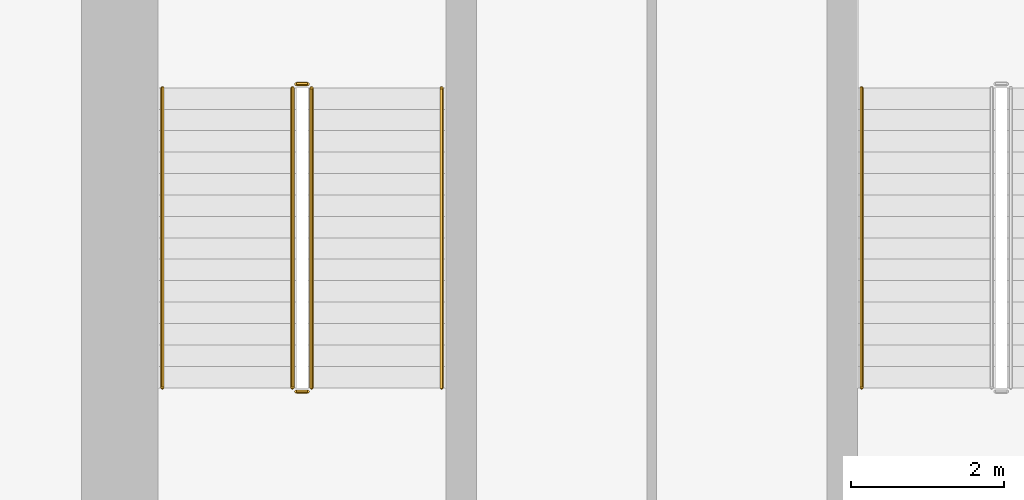
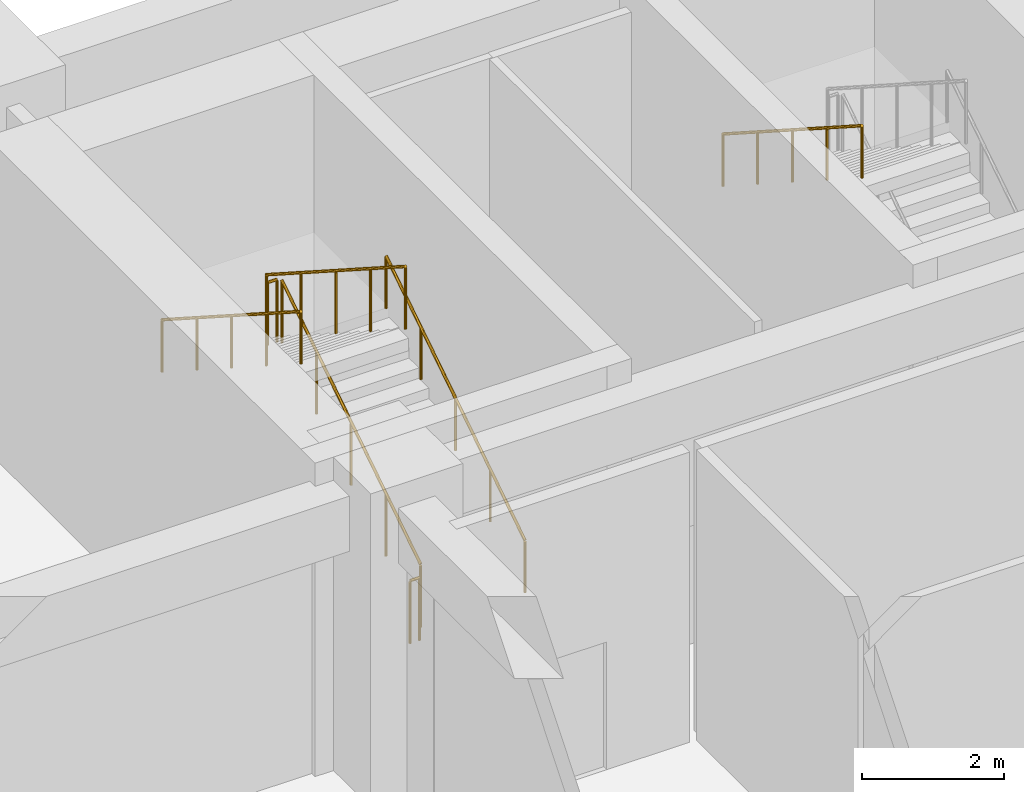
# One storey, part 11 of 14: 7 railings.
"""IFC4 building model written with IfcOpenShell, lengths in metres."""

import ifcopenshell
import ifcopenshell.guid

model = None  # the IFC model being written
_history = None  # IfcOwnerHistory: only IFC2X3 demands one
_inside = {}  # id of a spatial element -> (the spatial element, [elements in it])
_under = {}  # id of a project, library or spatial element -> (it, [spatial elements below it])
_declared = {}  # id of a project -> (the project, [libraries it declares])
_typed = {}  # id of a type object -> (the type object, [elements of that type])
_made_of = {}  # id of a material, layer set ... -> (it, [elements and type objects made of it])


def new_model(schema):
    """Start an empty IFC model of exactly this schema.

    Asked for "IFC4X3", IfcOpenShell would pick the latest addendum, in which some entities
    have other attributes; the version numbers below select the first issue.
    IFC2X3 requires an IfcOwnerHistory on every rooted entity: one is made here for all.
    """
    global model, _history
    if schema == "IFC4X3":
        model = ifcopenshell.file(schema_version=(4, 3, 0, 0))
    else:
        model = ifcopenshell.file(schema=schema)
    _inside.clear()
    _under.clear()
    _declared.clear()
    _typed.clear()
    _made_of.clear()
    _history = None
    if model.schema == "IFC2X3":
        org = make("IfcOrganization", Name="unknown")
        user = make(
            "IfcPersonAndOrganization",
            ThePerson=make("IfcPerson", FamilyName="unknown"),
            TheOrganization=org,
        )
        app = make(
            "IfcApplication",
            ApplicationDeveloper=org,
            Version="unknown",
            ApplicationFullName="unknown",
            ApplicationIdentifier="unknown",
        )
        _history = make(
            "IfcOwnerHistory",
            OwningUser=user,
            OwningApplication=app,
            ChangeAction="ADDED",
            CreationDate=0,
        )
    return model


def make(cls, **values):
    """One entity of the class cls with the attributes given. An attribute that is None is left unset."""
    return model.create_entity(
        cls, **{name: value for name, value in values.items() if value is not None}
    )


def rooted(cls, **values):
    """An entity with a GlobalId (a new one), such as an element, a storey or a relation."""
    return make(cls, GlobalId=ifcopenshell.guid.new(), OwnerHistory=_history, **values)


def si_unit(unit_type, name, prefix=None):
    """IfcSIUnit, for example si_unit("LENGTHUNIT", "METRE", prefix="MILLI")."""
    return make("IfcSIUnit", UnitType=unit_type, Prefix=prefix, Name=name)


def assignment(units):
    """IfcUnitAssignment: the units of a project."""
    return None if units is None else make("IfcUnitAssignment", Units=units)


def point(xyz):
    """IfcCartesianPoint."""
    return None if xyz is None else make("IfcCartesianPoint", Coordinates=xyz)


def direction(xyz):
    """IfcDirection."""
    return None if xyz is None else make("IfcDirection", DirectionRatios=xyz)


def frame(location, z_axis=None, x_axis=None):
    """IfcAxis2Placement3D, a coordinate frame: its origin and axes. An axis left out is left unset."""
    return make(
        "IfcAxis2Placement3D",
        Location=point(location),
        Axis=direction(z_axis),
        RefDirection=direction(x_axis),
    )


def frame_2d(location, x_axis=None):
    """IfcAxis2Placement2D, a coordinate frame in the plane: its origin and x axis."""
    return make(
        "IfcAxis2Placement2D", Location=point(location), RefDirection=direction(x_axis)
    )


def origin():
    """The frame at (0, 0, 0) with its axes left unset."""
    return frame((0.0, 0.0, 0.0))


def origin_2d():
    """The frame at (0, 0) in the plane with its x axis left unset."""
    return frame_2d((0.0, 0.0))


def place(relative_to, where):
    """IfcLocalPlacement: puts the frame where relative to a parent placement (None: the world)."""
    return make(
        "IfcLocalPlacement", PlacementRelTo=relative_to, RelativePlacement=where
    )


def context(
    kind, dimensions, precision=None, world=None, true_north=None, identifier=None
):
    """IfcGeometricRepresentationContext, for example the 3D "Model" context."""
    return make(
        "IfcGeometricRepresentationContext",
        ContextIdentifier=identifier,
        ContextType=kind,
        CoordinateSpaceDimension=dimensions,
        Precision=precision,
        WorldCoordinateSystem=world,
        TrueNorth=true_north,
    )


def subcontext(parent, identifier, kind, view, scale=None):
    """IfcGeometricRepresentationSubContext, for example "Body" below "Model"."""
    return make(
        "IfcGeometricRepresentationSubContext",
        ContextIdentifier=identifier,
        ContextType=kind,
        ParentContext=parent,
        TargetScale=scale,
        TargetView=view,
    )


def project(units=None, contexts=None):
    """IfcProject with its units and contexts."""
    return rooted(
        "IfcProject",
        Name="project",
        RepresentationContexts=contexts,
        UnitsInContext=assignment(units),
    )


def spatial(cls, under=None, at=None, **own):
    """A site, building, storey or space (cls), placed at a placement, below another one or the project."""
    s = rooted(cls, ObjectPlacement=at, **own)
    if under is not None:
        _under.setdefault(under.id(), (under, []))[1].append(s)
    return s


def profile(cls, at=None, kind="AREA", **sizes):
    """A parametric profile (cls). Its sizes go by their IFC names, for example OverallWidth=200.0."""
    return make(cls, ProfileType=kind, Position=at, **sizes)


def circle(**sizes):
    """IfcCircleProfileDef."""
    return profile("IfcCircleProfileDef", **sizes)


def extrude(swept, where, along, depth):
    """IfcExtrudedAreaSolid: the profile swept, set in the frame where, extruded along a direction by depth."""
    return make(
        "IfcExtrudedAreaSolid",
        SweptArea=swept,
        Position=where,
        ExtrudedDirection=direction(along),
        Depth=depth,
    )


def shape(context_of_items, identifier, shape_type, items):
    """IfcShapeRepresentation: the items that make up one representation, for example the "Body"."""
    return make(
        "IfcShapeRepresentation",
        ContextOfItems=context_of_items,
        RepresentationIdentifier=identifier,
        RepresentationType=shape_type,
        Items=items,
    )


def material(Name=None, Category=None):
    """IfcMaterial."""
    return make("IfcMaterial", Name=Name, Category=Category)


def made_of(thing, what):
    """Note that an element or type object is made of a material, layer set ...; save() writes the relation."""
    if what is not None:
        _made_of.setdefault(what.id(), (what, []))[1].append(thing)
    return thing


def type_object(cls, material=None, **own):
    """A type object (cls), such as IfcWallType, which elements share."""
    return made_of(rooted(cls, **own), material)


def element(
    cls,
    number,
    at=None,
    inside=None,
    cuts=None,
    type_object=None,
    material=None,
    context=None,
    identifier="Body",
    shape_type=None,
    held_by="IfcProductDefinitionShape",
    body=None,
    shapes=None,
    **own,
):
    """One element of the class cls, such as IfcWall. Its Tag is "e" and its number.

    at: its placement. inside: the storey or other place that contains it. cuts: it is an
    opening in that element (IfcRelVoidsElement). A single representation is given by context,
    identifier, shape_type and body (its items); several are given by shapes. held_by: the class
    of the entity that holds the representations. save() writes the other relations.
    """
    e = rooted(cls, Tag="e%d" % number, ObjectPlacement=at, **own)
    if body is not None:
        shapes = [shape(context, identifier, shape_type, body)]
    if shapes is not None:
        e.Representation = make(held_by, Representations=shapes)
    if inside is not None:
        _inside.setdefault(inside.id(), (inside, []))[1].append(e)
    if cuts is not None:
        rooted(
            "IfcRelVoidsElement", RelatingBuildingElement=cuts, RelatedOpeningElement=e
        )
    if type_object is not None:
        _typed.setdefault(type_object.id(), (type_object, []))[1].append(e)
    return made_of(e, material)


def aggregate(whole, parts):
    """IfcRelAggregates: a whole, such as a stair, and the parts it consists of."""
    return rooted("IfcRelAggregates", RelatingObject=whole, RelatedObjects=parts)


def save(model, path):
    """Write the relations noted so far, then the file.

    IfcRelAggregates (storeys below a building ...), IfcRelContainedInSpatialStructure (elements
    in a storey), IfcRelDefinesByType, IfcRelAssociatesMaterial and IfcRelDeclares: one each for
    every whole, place, type object, material and project.
    """
    for whole, parts in _under.values():
        aggregate(whole, parts)
    for where, things in _inside.values():
        rooted(
            "IfcRelContainedInSpatialStructure",
            RelatedElements=things,
            RelatingStructure=where,
        )
    for kind, things in _typed.values():
        rooted("IfcRelDefinesByType", RelatedObjects=things, RelatingType=kind)
    for what, things in _made_of.values():
        rooted("IfcRelAssociatesMaterial", RelatedObjects=things, RelatingMaterial=what)
    for by, libraries in _declared.values():
        rooted("IfcRelDeclares", RelatingContext=by, RelatedDefinitions=libraries)
    model.write(path)


model = new_model("IFC4")

# Units and contexts
model_context = context("Model", 3, precision=1e-05, world=origin(), true_north=direction((0.0, 1.0)))
body_context = subcontext(model_context, "Body", "Model", "MODEL_VIEW")
ifc_project = project(units=[si_unit("LENGTHUNIT", "METRE"), si_unit("AREAUNIT", "SQUARE_METRE"), si_unit("VOLUMEUNIT", "CUBIC_METRE"), si_unit("PLANEANGLEUNIT", "RADIAN"), si_unit("MASSUNIT", "GRAM", prefix="KILO")], contexts=[model_context])

# Site, building, storey
site_placement = place(None, origin())
site = spatial("IfcSite", under=ifc_project, at=site_placement, CompositionType="ELEMENT")
building_placement = place(site_placement, origin())
building = spatial("IfcBuilding", under=site, at=building_placement, Name="Sulina Concourse Tower", CompositionType="ELEMENT")
storey_placement = place(building_placement, origin())
storey = spatial("IfcBuildingStorey", under=building, at=storey_placement, Name="L00", CompositionType="ELEMENT", Elevation=0.0)

# Railings
ifc_material_1 = material(Name="Galvanised steel railing", Category="steel")
railing_type_1 = type_object("IfcRailingType", Name="Core Stair Steel Guardrail 1150mm", PredefinedType="GUARDRAIL", material=ifc_material_1)
railing_1_placement = place(storey_placement, frame((43.554931640625, 36.375, 0.179931640625)))
element("IfcRailing", 1, at=railing_1_placement, inside=storey, type_object=railing_type_1, Name="L00 ST-3 stair guard 1", PredefinedType="GUARDRAIL", context=body_context, shape_type="SweptSolid", body=[
    extrude(circle(Radius=0.02392578125, at=origin_2d()), frame((0.0, 0.0, 1.076171875), z_axis=(0.0, 0.841171666519, 0.540768182723), x_axis=(-1.0, 0.0, 0.0)), (0.0, 0.0, 1.0), 4.66015625),
    extrude(circle(Radius=0.02099609375, at=origin_2d()), origin(), (0.0, 0.0, 1.0), 1.052001953125),
    extrude(circle(Radius=0.02099609375, at=origin_2d()), frame((0.0, 0.97998046875, 0.6298828125)), (0.0, 0.0, 1.0), 1.052001953125),
    extrude(circle(Radius=0.02099609375, at=origin_2d()), frame((0.0, 1.9599609375, 1.260009765625)), (0.0, 0.0, 1.0), 1.052001953125),
    extrude(circle(Radius=0.02099609375, at=origin_2d()), frame((0.0, 2.93994140625, 1.89013671875)), (0.0, 0.0, 1.0), 1.052001953125),
    extrude(circle(Radius=0.02099609375, at=origin_2d()), frame((0.0, 3.919921875, 2.52001953125)), (0.0, 0.0, 1.0), 1.052001953125),
])
railing_2_placement = place(storey_placement, frame((43.5048828125, 40.344970703125, 2.699951171875)))
element("IfcRailing", 2, at=railing_2_placement, inside=storey, type_object=railing_type_1, Name="L00 ST-3 stair guard 2", PredefinedType="GUARDRAIL", context=body_context, shape_type="SweptSolid", body=[
    extrude(circle(Radius=0.02392578125, at=origin_2d()), frame((0.0, 0.0, 1.076171875), z_axis=(-1.0, 0.0, 0.0), x_axis=(0.0, -1.0, 0.0)), (0.0, 0.0, 1.0), 0.14990234375),
    extrude(circle(Radius=0.02099609375, at=origin_2d()), origin(), (0.0, 0.0, 1.0), 1.052001953125),
    extrude(circle(Radius=0.02099609375, at=origin_2d()), frame((-0.14990234375, 0.0, 0.0)), (0.0, 0.0, 1.0), 1.052001953125),
])
railing_3_placement = place(storey_placement, frame((43.304931640625, 40.294921875, 2.8798828125)))
element("IfcRailing", 3, at=railing_3_placement, inside=storey, type_object=railing_type_1, Name="L00 ST-3 stair guard 3", PredefinedType="GUARDRAIL", context=body_context, shape_type="SweptSolid", body=[
    extrude(circle(Radius=0.02392578125, at=origin_2d()), frame((0.0, 0.0, 1.076171875), z_axis=(0.0, -0.841171666519, 0.540768182723), x_axis=(1.0, 0.0, 0.0)), (0.0, 0.0, 1.0), 4.66015625),
    extrude(circle(Radius=0.02099609375, at=origin_2d()), origin(), (0.0, 0.0, 1.0), 1.052001953125),
    extrude(circle(Radius=0.02099609375, at=origin_2d()), frame((0.0, -0.97998046875, 0.6298828125)), (0.0, 0.0, 1.0), 1.052001953125),
    extrude(circle(Radius=0.02099609375, at=origin_2d()), frame((0.0, -1.9599609375, 1.260009765625)), (0.0, 0.0, 1.0), 1.052001953125),
    extrude(circle(Radius=0.02099609375, at=origin_2d()), frame((0.0, -2.93994140625, 1.89013671875)), (0.0, 0.0, 1.0), 1.052001953125),
    extrude(circle(Radius=0.02099609375, at=origin_2d()), frame((0.0, -3.919921875, 2.52001953125)), (0.0, 0.0, 1.0), 1.052001953125),
])
railing_4_placement = place(storey_placement, frame((43.5048828125, 36.324951171875, 0.0)))
element("IfcRailing", 4, at=railing_4_placement, inside=storey, type_object=railing_type_1, Name="L00 ST-3 stair guard 4", PredefinedType="GUARDRAIL", context=body_context, shape_type="SweptSolid", body=[
    extrude(circle(Radius=0.02392578125, at=origin_2d()), frame((0.0, 0.0, 1.076171875), z_axis=(-1.0, 0.0, 0.0), x_axis=(0.0, -1.0, 0.0)), (0.0, 0.0, 1.0), 0.14990234375),
    extrude(circle(Radius=0.02099609375, at=origin_2d()), origin(), (0.0, 0.0, 1.0), 1.052001953125),
    extrude(circle(Radius=0.02099609375, at=origin_2d()), frame((-0.14990234375, 0.0, 0.0)), (0.0, 0.0, 1.0), 1.052001953125),
])
ifc_material_2 = material(Name="Galvanised steel railing", Category="steel")
railing_type_2 = type_object("IfcRailingType", Name="Stair Wall Steel Handrail 920mm", PredefinedType="HANDRAIL", material=ifc_material_2)
railing_5_placement = place(storey_placement, frame((45.2548828125, 36.375, 0.179931640625)))
element("IfcRailing", 5, at=railing_5_placement, inside=storey, type_object=railing_type_2, Name="L00 ST-3 stair handrail 1", PredefinedType="HANDRAIL", context=body_context, shape_type="SweptSolid", body=[
    extrude(circle(Radius=0.02392578125, at=origin_2d()), frame((0.0, 0.0, 0.89599609375), z_axis=(0.0, 0.841171666519, 0.540768182723), x_axis=(-1.0, 0.0, 0.0)), (0.0, 0.0, 1.0), 4.66015625),
    extrude(circle(Radius=0.02099609375, at=origin_2d()), origin(), (0.0, 0.0, 1.0), 0.871826171875),
    extrude(circle(Radius=0.02099609375, at=origin_2d()), frame((0.0, 0.97998046875, 0.6298828125)), (0.0, 0.0, 1.0), 0.871826171875),
    extrude(circle(Radius=0.02099609375, at=origin_2d()), frame((0.0, 1.9599609375, 1.260009765625)), (0.0, 0.0, 1.0), 0.871826171875),
    extrude(circle(Radius=0.02099609375, at=origin_2d()), frame((0.0, 2.93994140625, 1.89013671875)), (0.0, 0.0, 1.0), 0.871826171875),
    extrude(circle(Radius=0.02099609375, at=origin_2d()), frame((0.0, 3.919921875, 2.52001953125)), (0.0, 0.0, 1.0), 0.871826171875),
])
for number, where, name in (
    (6, (41.60498046875, 40.294921875, 2.8798828125), "L00 ST-3 stair handrail 2"),
    (7, (50.7451171875, 40.294921875, 2.8798828125), "L00 ST-4 stair handrail 2"),
):
    element("IfcRailing", number, at=place(storey_placement, frame(where)), inside=storey, type_object=railing_type_2, Name=name, PredefinedType="HANDRAIL", context=body_context, shape_type="SweptSolid", body=[
        extrude(circle(Radius=0.02392578125, at=origin_2d()), frame((0.0, 0.0, 0.89599609375), z_axis=(0.0, -0.841171666519, 0.540768182723), x_axis=(1.0, 0.0, 0.0)), (0.0, 0.0, 1.0), 4.66015625),
        extrude(circle(Radius=0.02099609375, at=origin_2d()), origin(), (0.0, 0.0, 1.0), 0.871826171875),
        extrude(circle(Radius=0.02099609375, at=origin_2d()), frame((0.0, -0.97998046875, 0.6298828125)), (0.0, 0.0, 1.0), 0.871826171875),
        extrude(circle(Radius=0.02099609375, at=origin_2d()), frame((0.0, -1.9599609375, 1.260009765625)), (0.0, 0.0, 1.0), 0.871826171875),
        extrude(circle(Radius=0.02099609375, at=origin_2d()), frame((0.0, -2.93994140625, 1.89013671875)), (0.0, 0.0, 1.0), 0.871826171875),
        extrude(circle(Radius=0.02099609375, at=origin_2d()), frame((0.0, -3.919921875, 2.52001953125)), (0.0, 0.0, 1.0), 0.871826171875),
    ])

save(model, "model.ifc")
